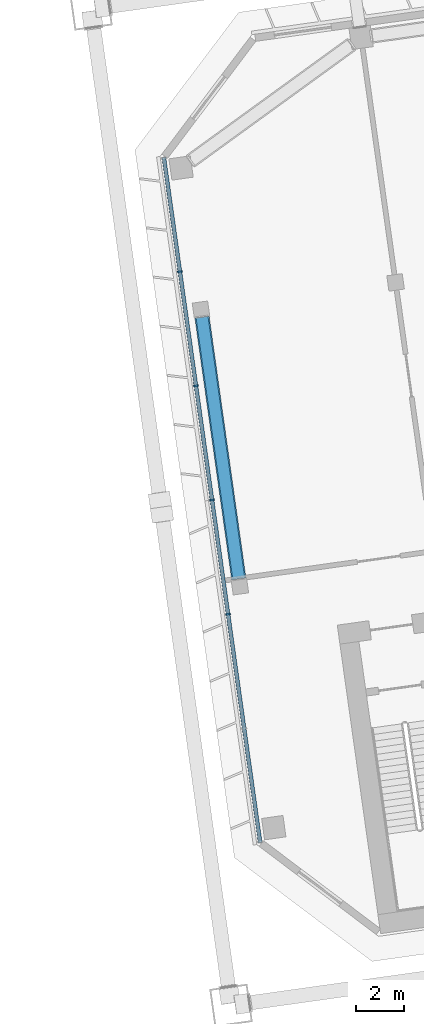
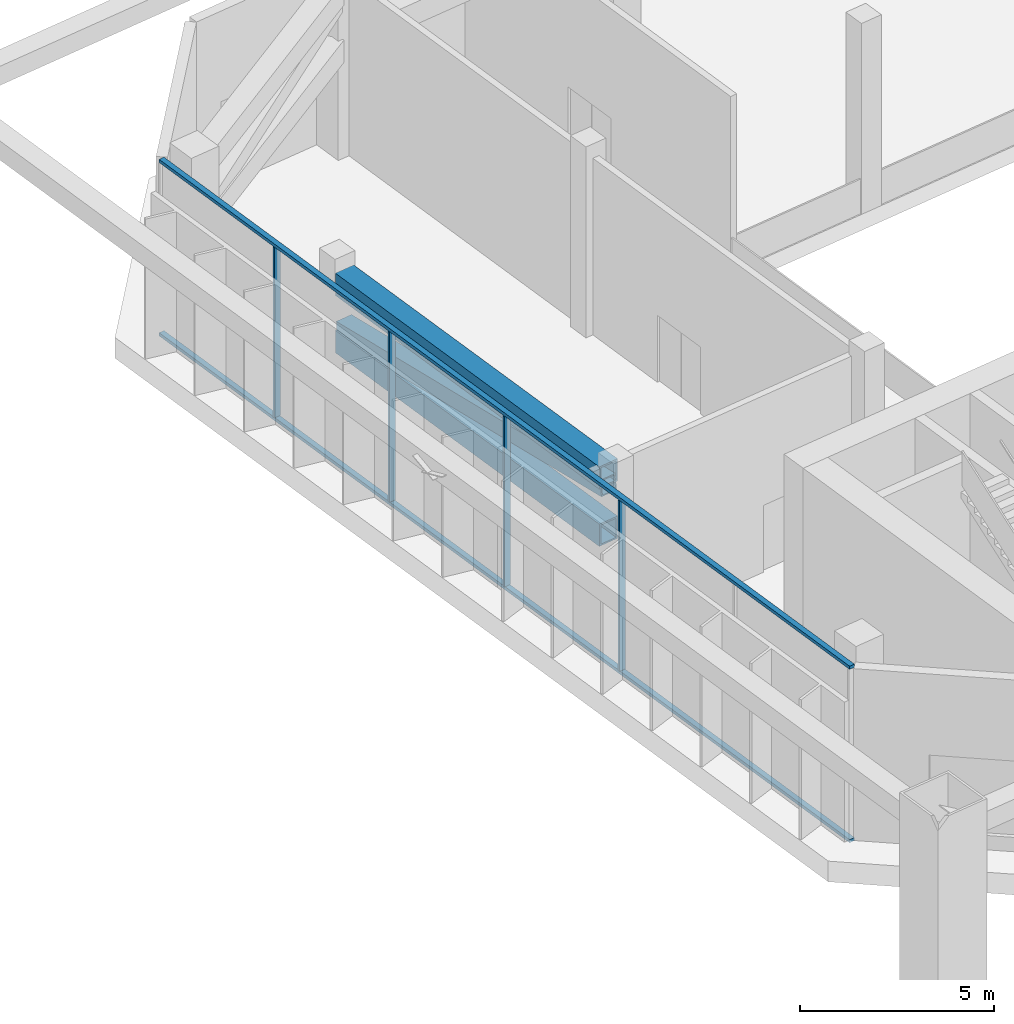
# One storey, part 12 of 41: 9 members, 1 element without a shape of its own.
"""IFC4 building model written with IfcOpenShell, lengths in metres."""

from ifc_helpers import new_model, si_unit, direction, frame, origin, origin_2d, place, context, subcontext, project, spatial, rectangle, hollow_rectangle, extrude, material, material_profile, profile_set, type_object, element, aggregate, save


model = new_model("IFC4")

# Units and contexts
model_context = context("Model", 3, precision=1e-05, world=origin(), true_north=direction((0.0, 1.0)))
body_context = subcontext(model_context, "Body", "Model", "MODEL_VIEW")
ifc_project = project(units=[si_unit("LENGTHUNIT", "METRE"), si_unit("AREAUNIT", "SQUARE_METRE"), si_unit("VOLUMEUNIT", "CUBIC_METRE"), si_unit("PLANEANGLEUNIT", "RADIAN"), si_unit("MASSUNIT", "GRAM", prefix="KILO")], contexts=[model_context])

# Site, building, storey
site_placement = place(None, origin())
site = spatial("IfcSite", under=ifc_project, at=site_placement, CompositionType="ELEMENT")
building_placement = place(site_placement, origin())
building = spatial("IfcBuilding", under=site, at=building_placement, Name="Mirante Cascada Hotel Towers", CompositionType="ELEMENT")
storey_placement = place(building_placement, frame((0.0, 0.0, 92.7)))
storey = spatial("IfcBuildingStorey", under=building, at=storey_placement, Name="L20", CompositionType="ELEMENT", Elevation=92.7)

# Members
ifc_material_1 = material(Name="Steel ASTM A572 Gr 50", Category="steel")
ifc_material_profile_1 = material_profile(ifc_material_1, hollow_rectangle(XDim=0.6, YDim=0.7, WallThickness=0.05, at=origin_2d()), Name="Box chord 700x600x50 ASTM A572 Gr 50")
ifc_profile_set_1 = profile_set([ifc_material_profile_1], Name="Steel ASTM A572 Gr 50")
member_type_1 = type_object("IfcMemberType", Name="Box chord 700x600x50 ASTM A572 Gr 50", PredefinedType="CHORD", material=ifc_profile_set_1)
for number, where, z_axis, x_axis, name in (
    (1, (31.2682, -5.2754, 5.2), (-0.1391752, 0.9902678, 0.0), (-0.9902678, -0.1391752, 0.0), "belt T2 L20 34"),
    (2, (31.2682, -5.2754, 3.4), (-0.1391752, 0.9902678, 0.0), (-0.9902678, -0.1391752, 0.0), "belt T2 L20 35"),
):
    element("IfcMember", number, at=place(storey_placement, frame(where, z_axis=z_axis, x_axis=x_axis)), inside=storey, type_object=member_type_1, Name=name, PredefinedType="CHORD", context=body_context, shape_type="SweptSolid", body=[
        extrude(hollow_rectangle(XDim=0.6, YDim=0.7, WallThickness=0.05, at=origin_2d()), origin(), (0.0, 0.0, 1.0), 11.04),
    ])
ifc_material_2 = material(Name="Steel ASTM A572 Gr 50", Category="steel")
ifc_material_profile_2 = material_profile(ifc_material_2, hollow_rectangle(XDim=0.5, YDim=0.5, WallThickness=0.035, at=origin_2d()), Name="Box diagonal 500x500x35 ASTM A572 Gr 50")
ifc_profile_set_2 = profile_set([ifc_material_profile_2], Name="Steel ASTM A572 Gr 50")
member_type_2 = type_object("IfcMemberType", Name="Box diagonal 500x500x35 ASTM A572 Gr 50", PredefinedType="BRACE", material=ifc_profile_set_2)
member_1_placement = place(storey_placement, frame((31.2682, -5.2754, 4.85), z_axis=(-0.1384894, 0.9853886, -0.0991464), x_axis=(-0.9902678, -0.1391752, 0.0)))
element("IfcMember", 3, at=member_1_placement, inside=storey, type_object=member_type_2, Name="belt T2 L20 36", PredefinedType="BRACE", context=body_context, shape_type="SweptSolid", body=[
    extrude(hollow_rectangle(XDim=0.5, YDim=0.5, WallThickness=0.035, at=origin_2d()), origin(), (0.0, 0.0, 1.0), 11.0947),
])

# Curtain wall, members
ifc_material_3 = material(Name="Aluminium mullion and transom frame with clear laminated glass", Category="aluminium")
curtain_wall_type = type_object("IfcCurtainWallType", Name="End ribbon curtain wall ECW2", PredefinedType="NOTDEFINED", material=ifc_material_3)
curtain_wall_placement = place(storey_placement, origin())
curtain_wall = element("IfcCurtainWall", 4, at=curtain_wall_placement, inside=storey, type_object=curtain_wall_type, Name="Inner end wall T2 L20", PredefinedType="NOTDEFINED")
ifc_material_4 = material(Name="Anodised aluminium extrusion", Category="aluminium")
ifc_material_profile_3 = material_profile(ifc_material_4, rectangle(XDim=0.2, YDim=0.065, at=origin_2d()), Name="ECW2 MULLION 65x200")
ifc_profile_set_3 = profile_set([ifc_material_profile_3], Name="Anodised aluminium extrusion")
member_type_3 = type_object("IfcMemberType", Name="ECW2 mullion 65x200", PredefinedType="MULLION", material=ifc_profile_set_3)
member_2_placement = place(storey_placement, frame((28.809, 7.5524, 0.1), z_axis=(0.0, 0.0, 1.0), x_axis=(0.9902681, 0.1391731, 0.0)))
member_2 = element("IfcMember", 5, at=member_2_placement, type_object=member_type_3, Name="ECW2 mullion 2", PredefinedType="MULLION", context=body_context, shape_type="SweptSolid", body=[
    extrude(rectangle(XDim=0.2, YDim=0.065, at=origin_2d()), origin(), (0.0, 0.0, 1.0), 5.35),
])
member_3_placement = place(storey_placement, frame((29.4788, 2.7867, 0.1), z_axis=(0.0, 0.0, 1.0), x_axis=(0.9902681, 0.1391731, 0.0)))
member_3 = element("IfcMember", 6, at=member_3_placement, type_object=member_type_3, Name="ECW2 mullion 3", PredefinedType="MULLION", context=body_context, shape_type="SweptSolid", body=[
    extrude(rectangle(XDim=0.2, YDim=0.065, at=origin_2d()), origin(), (0.0, 0.0, 1.0), 5.35),
])
member_4_placement = place(storey_placement, frame((30.1485, -1.9791, 0.1), z_axis=(0.0, 0.0, 1.0), x_axis=(0.9902681, 0.1391731, 0.0)))
member_4 = element("IfcMember", 7, at=member_4_placement, type_object=member_type_3, Name="ECW2 mullion 4", PredefinedType="MULLION", context=body_context, shape_type="SweptSolid", body=[
    extrude(rectangle(XDim=0.2, YDim=0.065, at=origin_2d()), origin(), (0.0, 0.0, 1.0), 5.35),
])
member_5_placement = place(storey_placement, frame((30.8183, -6.7449, 0.1), z_axis=(0.0, 0.0, 1.0), x_axis=(0.9902681, 0.1391731, 0.0)))
member_5 = element("IfcMember", 8, at=member_5_placement, type_object=member_type_3, Name="ECW2 mullion 5", PredefinedType="MULLION", context=body_context, shape_type="SweptSolid", body=[
    extrude(rectangle(XDim=0.2, YDim=0.065, at=origin_2d()), origin(), (0.0, 0.0, 1.0), 5.35),
])
ifc_material_5 = material(Name="Anodised aluminium extrusion", Category="aluminium")
ifc_material_profile_4 = material_profile(ifc_material_5, rectangle(XDim=0.16, YDim=0.1, at=origin_2d()), Name="ECW2 TRANSOM 100x160")
ifc_profile_set_4 = profile_set([ifc_material_profile_4], Name="Anodised aluminium extrusion")
member_type_4 = type_object("IfcMemberType", Name="ECW2 transom 100x160", PredefinedType="USERDEFINED", material=ifc_profile_set_4)
member_6_placement = place(storey_placement, frame((28.1392, 12.3182, 0.05), z_axis=(0.1391723, -0.9902682, 0.0), x_axis=(0.9902682, 0.1391723, 0.0)))
member_6 = element("IfcMember", 9, at=member_6_placement, type_object=member_type_4, Name="ECW2 sill transom", ObjectType="TRANSOM", PredefinedType="USERDEFINED", context=body_context, shape_type="SweptSolid", body=[
    extrude(rectangle(XDim=0.16, YDim=0.1, at=origin_2d()), origin(), (0.0, 0.0, 1.0), 28.8757),
])
member_7_placement = place(storey_placement, frame((28.1392, 12.3182, 5.5), z_axis=(0.1391723, -0.9902682, 0.0), x_axis=(0.9902682, 0.1391723, 0.0)))
member_7 = element("IfcMember", 10, at=member_7_placement, type_object=member_type_4, Name="ECW2 head transom", ObjectType="TRANSOM", PredefinedType="USERDEFINED", context=body_context, shape_type="SweptSolid", body=[
    extrude(rectangle(XDim=0.16, YDim=0.1, at=origin_2d()), origin(), (0.0, 0.0, 1.0), 28.8757),
])
aggregate(curtain_wall, [member_6, member_7, member_2, member_3, member_4, member_5])

save(model, "model.ifc")
